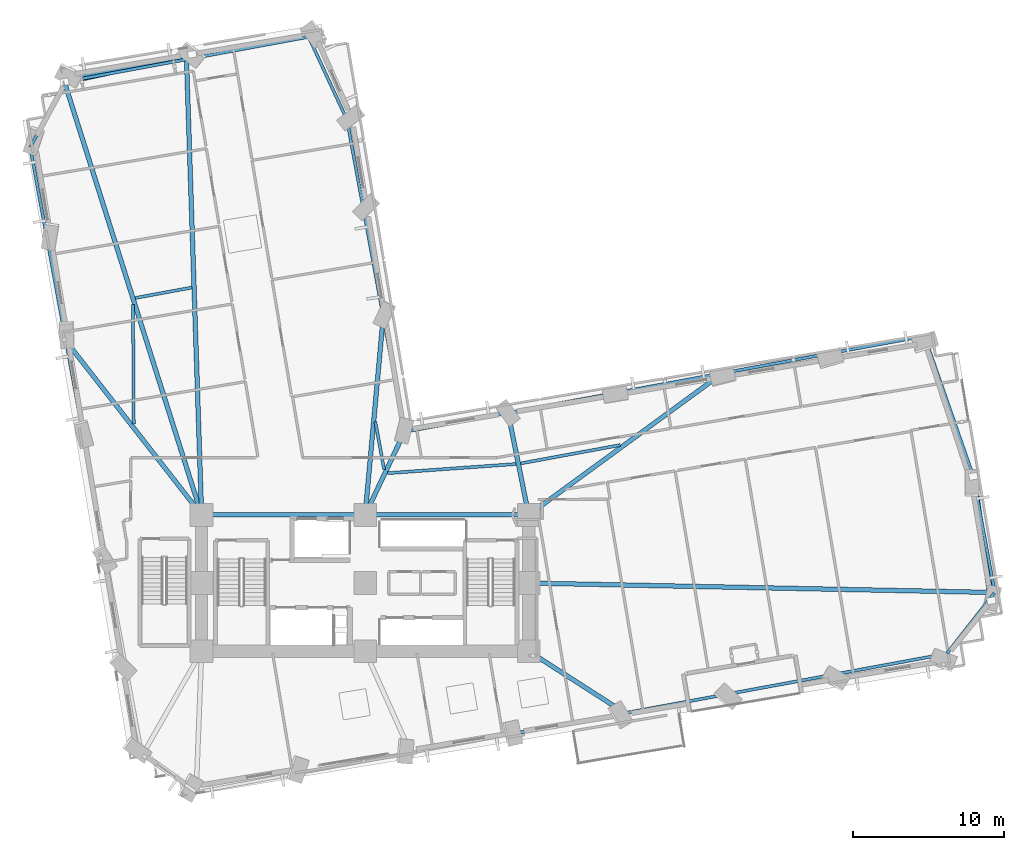
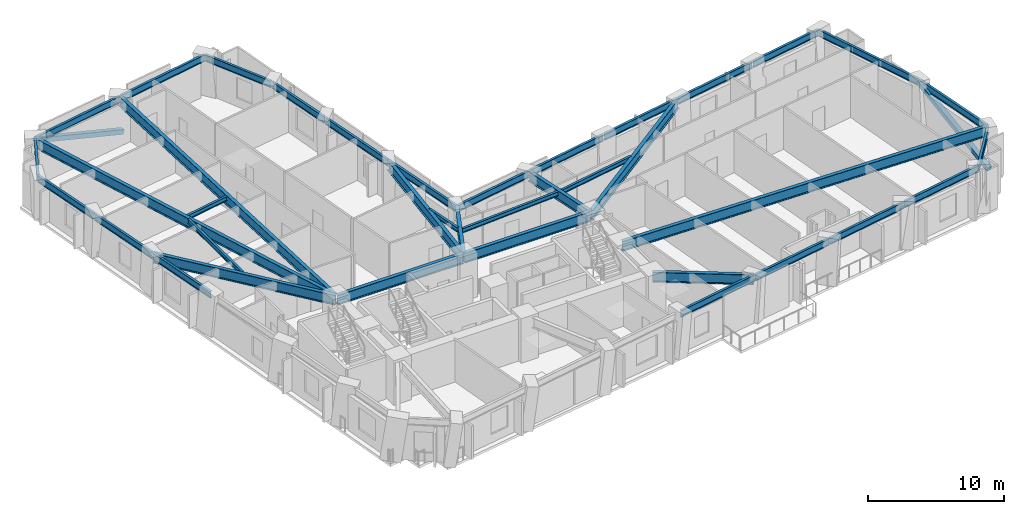
# One storey, part 3 of 16: 38 beams, 2 members.
"""IFC4 building model written with IfcOpenShell, lengths in metres."""

from ifc_helpers import new_model, si_unit, direction, frame, origin, origin_2d, place, context, subcontext, project, spatial, hollow_rectangle, i_section, extrude, material, material_profile, profile_set, type_object, element, save


model = new_model("IFC4")

# Units and contexts
model_context = context("Model", 3, precision=1e-05, world=origin(), true_north=direction((0.0, 1.0)))
body_context = subcontext(model_context, "Body", "Model", "MODEL_VIEW")
ifc_project = project(units=[si_unit("LENGTHUNIT", "METRE"), si_unit("AREAUNIT", "SQUARE_METRE"), si_unit("VOLUMEUNIT", "CUBIC_METRE"), si_unit("PLANEANGLEUNIT", "RADIAN"), si_unit("MASSUNIT", "GRAM", prefix="KILO")], contexts=[model_context])

# Site, building, storey
site_placement = place(None, origin())
site = spatial("IfcSite", under=ifc_project, at=site_placement, CompositionType="ELEMENT")
building_placement = place(site_placement, origin())
building = spatial("IfcBuilding", under=site, at=building_placement, Name="Gaonmaruhae Medical Tower", CompositionType="ELEMENT")
storey_placement = place(building_placement, frame((0.0, 0.0, 63.0)))
storey = spatial("IfcBuildingStorey", under=building, at=storey_placement, Name="L14", CompositionType="ELEMENT", Elevation=63.0)

# Beams
ifc_material_1 = material(Name="Steel SM355", Category="steel")
ifc_material_profile_1 = material_profile(ifc_material_1, i_section(OverallWidth=0.199951171875, OverallDepth=0.39990234375, WebThickness=0.008056640625, FlangeThickness=0.012939453125, FilletRadius=0.012939453125, at=origin_2d()), Name="H-400x200x8x13")
ifc_profile_set_1 = profile_set([ifc_material_profile_1], Name="Steel SM355")
beam_type_1 = type_object("IfcBeamType", Name="FJ-01 Lower Zone Ward Floor Joist (H-400x200x8x13)", PredefinedType="JOIST", material=ifc_profile_set_1)
beam_1_placement = place(storey_placement, frame((41.65380859375, 21.41455078125, 3.580078125), z_axis=(-0.983412627044, -0.181382482534, 0.0), x_axis=(0.181382482534, -0.983412627044, 0.0)))
element("IfcBeam", 1, at=beam_1_placement, inside=storey, type_object=beam_type_1, Name="L14 Secondary Floor Joist FJ05", PredefinedType="JOIST", context=body_context, shape_type="SweptSolid", body=[
    extrude(i_section(OverallWidth=0.199951171875, OverallDepth=0.39990234375, WebThickness=0.008056640625, FlangeThickness=0.012939453125, FilletRadius=0.012939453125, at=origin_2d()), origin(), (0.0, 0.0, 1.0), 6.6923828125),
])
beam_2_placement = place(storey_placement, frame((34.76220703125, 20.161376953125, 3.580078125), z_axis=(-0.997454180347, -0.071310294545, 0.0), x_axis=(0.071310294545, -0.997454180347, 0.0)))
element("IfcBeam", 2, at=beam_2_placement, inside=storey, type_object=beam_type_1, Name="L14 Secondary Floor Joist FJ06", PredefinedType="JOIST", context=body_context, shape_type="SweptSolid", body=[
    extrude(i_section(OverallWidth=0.199951171875, OverallDepth=0.39990234375, WebThickness=0.008056640625, FlangeThickness=0.012939453125, FilletRadius=0.012939453125, at=origin_2d()), origin(), (0.0, 0.0, 1.0), 8.50439453125),
])
beam_3_placement = place(storey_placement, frame((26.05419921875, 19.800048828125, 3.580078125), z_axis=(-0.181359756434, 0.983416818417, 0.0), x_axis=(-0.983416818417, -0.181359756434, 0.0)))
element("IfcBeam", 3, at=beam_3_placement, inside=storey, type_object=beam_type_1, Name="L14 Secondary Floor Joist FJ07", PredefinedType="JOIST", context=body_context, shape_type="SweptSolid", body=[
    extrude(i_section(OverallWidth=0.199951171875, OverallDepth=0.39990234375, WebThickness=0.008056640625, FlangeThickness=0.012939453125, FilletRadius=0.012939453125, at=origin_2d()), origin(), (0.0, 0.0, 1.0), 3.2119140625),
])
beam_4_placement = place(storey_placement, frame((13.3466796875, 31.8115234375, 3.580078125), z_axis=(-0.983414760915, -0.181370912815, 0.0), x_axis=(0.181370912815, -0.983414760915, 0.0)))
element("IfcBeam", 4, at=beam_4_placement, inside=storey, type_object=beam_type_1, Name="L14 Secondary Floor Joist FJ09", PredefinedType="JOIST", context=body_context, shape_type="SweptSolid", body=[
    extrude(i_section(OverallWidth=0.199951171875, OverallDepth=0.39990234375, WebThickness=0.008056640625, FlangeThickness=0.012939453125, FilletRadius=0.012939453125, at=origin_2d()), origin(), (0.0, 0.0, 1.0), 3.78515625),
])
beam_5_placement = place(storey_placement, frame((9.47216796875, 30.69580078125, 3.580078125), z_axis=(0.00620779934, -0.999980731428, 0.0), x_axis=(0.999980731428, 0.00620779934, 0.0)))
element("IfcBeam", 5, at=beam_5_placement, inside=storey, type_object=beam_type_1, Name="L14 Secondary Floor Joist FJ10", PredefinedType="JOIST", context=body_context, shape_type="SweptSolid", body=[
    extrude(i_section(OverallWidth=0.199951171875, OverallDepth=0.39990234375, WebThickness=0.008056640625, FlangeThickness=0.012939453125, FilletRadius=0.012939453125, at=origin_2d()), origin(), (0.0, 0.0, 1.0), 7.905029296875),
])

# Members
ifc_material_2 = material(Name="Steel SM420", Category="steel")
ifc_material_profile_2 = material_profile(ifc_material_2, hollow_rectangle(XDim=0.39990234375, YDim=0.39990234375, WallThickness=0.01611328125, at=origin_2d()), Name="RHS-400x400x16")
ifc_profile_set_2 = profile_set([ifc_material_profile_2], Name="Steel SM420")
member_type = type_object("IfcMemberType", Name="PB-01 Perimeter Solid-Bay Tube Brace Lower (RHS-400x400x16)", PredefinedType="BRACE", material=ifc_profile_set_2)
member_1_placement = place(storey_placement, frame((66.15185546875, 11.13525390625, 0.25), z_axis=(-0.13365714722, 0.920332745351, 0.367591355763), x_axis=(-0.989618492522, -0.143719307191, 0.0)))
element("IfcMember", 6, at=member_1_placement, inside=storey, type_object=member_type, Name="L14 Perimeter Tube Solid-Bay Brace E01-E02", PredefinedType="BRACE", context=body_context, shape_type="SweptSolid", body=[
    extrude(hollow_rectangle(XDim=0.39990234375, YDim=0.39990234375, WallThickness=0.01611328125, at=origin_2d()), origin(), (0.0, 0.0, 1.0), 8.923095703125),
])
member_2_placement = place(storey_placement, frame((13.372314453125, 47.218994140625, 0.25), z_axis=(-0.913571973034, -0.197784986374, 0.355341173032), x_axis=(0.211594336415, -0.977357578779, 0.0)))
element("IfcMember", 7, at=member_2_placement, inside=storey, type_object=member_type, Name="L14 Perimeter Tube Solid-Bay Brace N02-N03", PredefinedType="BRACE", context=body_context, shape_type="SweptSolid", body=[
    extrude(hollow_rectangle(XDim=0.39990234375, YDim=0.39990234375, WallThickness=0.01611328125, at=origin_2d()), origin(), (0.0, 0.0, 1.0), 9.230712890625),
])

# Beams
ifc_material_profile_3 = material_profile(ifc_material_2, i_section(OverallWidth=0.300048828125, OverallDepth=0.89990234375, WebThickness=0.01611328125, FlangeThickness=0.028076171875, FilletRadius=0.01806640625, at=origin_2d()), Name="H-900x300x16x28")
ifc_profile_set_3 = profile_set([ifc_material_profile_3], Name="Steel SM420")
beam_type_2 = type_object("IfcBeamType", Name="PG-01 Zone 1 Radial Floor Girder (H-900x300x16x28)", PredefinedType="BEAM", material=ifc_profile_set_3)
for number, where, z_axis, x_axis, name in (
    (8, (14.050048828125, 16.800048828125, 3.330078125), (1.0, 0.0, 0.0), (0.0, 1.0, 0.0), "L14 Beam BM-L14-CG-N1"),
    (9, (24.85009765625, 16.800048828125, 3.330078125), (1.0, 0.0, 0.0), (0.0, 1.0, 0.0), "L14 Beam BM-L14-CG-N2"),
):
    element("IfcBeam", number, at=place(storey_placement, frame(where, z_axis=z_axis, x_axis=x_axis)), inside=storey, type_object=beam_type_2, Name=name, PredefinedType="BEAM", context=body_context, shape_type="SweptSolid", body=[
        extrude(i_section(OverallWidth=0.300048828125, OverallDepth=0.89990234375, WebThickness=0.01611328125, FlangeThickness=0.028076171875, FilletRadius=0.01806640625, at=origin_2d()), origin(), (0.0, 0.0, 1.0), 10.699951171875),
    ])
beam_6_placement = place(storey_placement, frame((35.64208984375, 7.77294921875, 3.330078125), z_axis=(0.841630092336, -0.540054430289, 0.0), x_axis=(0.540054430289, 0.841630092336, 0.0)))
element("IfcBeam", 10, at=beam_6_placement, inside=storey, type_object=beam_type_2, Name="L14 Radial Primary Girder S05", PredefinedType="BEAM", context=body_context, shape_type="SweptSolid", body=[
    extrude(i_section(OverallWidth=0.300048828125, OverallDepth=0.89990234375, WebThickness=0.01611328125, FlangeThickness=0.028076171875, FilletRadius=0.01806640625, at=origin_2d()), origin(), (0.0, 0.0, 1.0), 7.4599609375),
])
beam_7_placement = place(storey_placement, frame((35.64990234375, 12.299072265625, 3.330078125), z_axis=(0.999794907779, -0.020251972209, 0.0), x_axis=(0.020251972209, 0.999794907779, 0.0)))
element("IfcBeam", 11, at=beam_7_placement, inside=storey, type_object=beam_type_2, Name="L14 Radial Primary Girder E01", PredefinedType="BEAM", context=body_context, shape_type="SweptSolid", body=[
    extrude(i_section(OverallWidth=0.300048828125, OverallDepth=0.89990234375, WebThickness=0.01611328125, FlangeThickness=0.028076171875, FilletRadius=0.01806640625, at=origin_2d()), origin(), (0.0, 0.0, 1.0), 30.680419921875),
])
beam_8_placement = place(storey_placement, frame((35.640380859375, 16.82958984375, 3.330078125), z_axis=(0.807296280927, 0.590146350325, 0.0), x_axis=(-0.590146350325, 0.807296280927, 0.0)))
element("IfcBeam", 12, at=beam_8_placement, inside=storey, type_object=beam_type_2, Name="L14 Radial Primary Girder EN02", PredefinedType="BEAM", context=body_context, shape_type="SweptSolid", body=[
    extrude(i_section(OverallWidth=0.300048828125, OverallDepth=0.89990234375, WebThickness=0.01611328125, FlangeThickness=0.028076171875, FilletRadius=0.01806640625, at=origin_2d()), origin(), (0.0, 0.0, 1.0), 15.754638671875),
])
beam_9_placement = place(storey_placement, frame((35.590087890625, 16.84912109375, 3.330078125), z_axis=(-0.197916023153, 0.980218979504, 0.0), x_axis=(-0.980218979504, -0.197916023153, 0.0)))
element("IfcBeam", 13, at=beam_9_placement, inside=storey, type_object=beam_type_2, Name="L14 Radial Primary Girder EN04", PredefinedType="BEAM", context=body_context, shape_type="SweptSolid", body=[
    extrude(i_section(OverallWidth=0.300048828125, OverallDepth=0.89990234375, WebThickness=0.01611328125, FlangeThickness=0.028076171875, FilletRadius=0.01806640625, at=origin_2d()), origin(), (0.0, 0.0, 1.0), 6.78076171875),
])
beam_10_placement = place(storey_placement, frame((24.821533203125, 16.84521484375, 3.330078125), z_axis=(0.428834950557, 0.903382856369, 0.0), x_axis=(-0.903382856369, 0.428834950557, 0.0)))
element("IfcBeam", 14, at=beam_10_placement, inside=storey, type_object=beam_type_2, Name="L14 Radial Primary Girder KN01", PredefinedType="BEAM", context=body_context, shape_type="SweptSolid", body=[
    extrude(i_section(OverallWidth=0.300048828125, OverallDepth=0.89990234375, WebThickness=0.01611328125, FlangeThickness=0.028076171875, FilletRadius=0.01806640625, at=origin_2d()), origin(), (0.0, 0.0, 1.0), 5.970947265625),
])
beam_11_placement = place(storey_placement, frame((24.804443359375, 16.849853515625, 3.330078125), z_axis=(0.09101777795, 0.995849267759, 0.0), x_axis=(-0.995849267759, 0.09101777795, 0.0)))
element("IfcBeam", 15, at=beam_11_placement, inside=storey, type_object=beam_type_2, Name="L14 Radial Primary Girder NE01", PredefinedType="BEAM", context=body_context, shape_type="SweptSolid", body=[
    extrude(i_section(OverallWidth=0.300048828125, OverallDepth=0.89990234375, WebThickness=0.01611328125, FlangeThickness=0.028076171875, FilletRadius=0.01806640625, at=origin_2d()), origin(), (0.0, 0.0, 1.0), 13.060302734375),
])
beam_12_placement = place(storey_placement, frame((13.998291015625, 16.849853515625, 3.330078125), z_axis=(-0.033108604646, 0.999451759866, 0.0), x_axis=(-0.999451759866, -0.033108604646, 0.0)))
element("IfcBeam", 16, at=beam_12_placement, inside=storey, type_object=beam_type_2, Name="L14 Radial Primary Girder N02", PredefinedType="BEAM", context=body_context, shape_type="SweptSolid", body=[
    extrude(i_section(OverallWidth=0.300048828125, OverallDepth=0.89990234375, WebThickness=0.01611328125, FlangeThickness=0.028076171875, FilletRadius=0.01806640625, at=origin_2d()), origin(), (0.0, 0.0, 1.0), 29.9970703125),
])
beam_13_placement = place(storey_placement, frame((13.98486328125, 16.84765625, 3.330078125), z_axis=(-0.302073178835, 0.953284739534, 0.0), x_axis=(-0.953284739534, -0.302073178835, 0.0)))
element("IfcBeam", 17, at=beam_13_placement, inside=storey, type_object=beam_type_2, Name="L14 Radial Primary Girder N03", PredefinedType="BEAM", context=body_context, shape_type="SweptSolid", body=[
    extrude(i_section(OverallWidth=0.300048828125, OverallDepth=0.89990234375, WebThickness=0.01611328125, FlangeThickness=0.028076171875, FilletRadius=0.01806640625, at=origin_2d()), origin(), (0.0, 0.0, 1.0), 29.894287109375),
])
beam_14_placement = place(storey_placement, frame((13.96923828125, 16.83935546875, 3.330078125), z_axis=(-0.615089119571, 0.788457592382, 0.0), x_axis=(-0.788457592382, -0.615089119571, 0.0)))
element("IfcBeam", 18, at=beam_14_placement, inside=storey, type_object=beam_type_2, Name="L14 Radial Primary Girder W03", PredefinedType="BEAM", context=body_context, shape_type="SweptSolid", body=[
    extrude(i_section(OverallWidth=0.300048828125, OverallDepth=0.89990234375, WebThickness=0.01611328125, FlangeThickness=0.028076171875, FilletRadius=0.01806640625, at=origin_2d()), origin(), (0.0, 0.0, 1.0), 14.458251953125),
])
ifc_material_profile_4 = material_profile(ifc_material_1, i_section(OverallWidth=0.199951171875, OverallDepth=0.60009765625, WebThickness=0.010986328125, FlangeThickness=0.01708984375, FilletRadius=0.012939453125, at=origin_2d()), Name="H-600x200x11x17")
ifc_profile_set_4 = profile_set([ifc_material_profile_4], Name="Steel SM355")
beam_type_3 = type_object("IfcBeamType", Name="SP-01 Lower Perimeter Spandrel Beam (H-600x200x11x17)", PredefinedType="SPANDREL", material=ifc_profile_set_4)
for number, where, z_axis, x_axis, name in (
    (19, (34.92138671875, 2.41845703125, 3.47998046875), (0.983411363242, 0.181389334433, 0.0), (-0.181389334433, 0.983411363242, 0.0), "L14 Perimeter Spandrel Beam S04-S05"),
    (20, (42.001953125, 3.724365234375, 3.4599609375), (0.983411363242, 0.181389334433, 0.0), (-0.181389334433, 0.983411363242, 0.0), "L14 Perimeter Spandrel Beam S05-S06"),
    (21, (49.08251953125, 5.0302734375, 3.4599609375), (0.983411363242, 0.181389334433, 0.0), (-0.181389334433, 0.983411363242, 0.0), "L14 Perimeter Spandrel Beam S06-S07"),
    (22, (56.1630859375, 6.336181640625, 3.47998046875), (0.983411363242, 0.181389334433, 0.0), (-0.181389334433, 0.983411363242, 0.0), "L14 Perimeter Spandrel Beam S07-S08"),
):
    element("IfcBeam", number, at=place(storey_placement, frame(where, z_axis=z_axis, x_axis=x_axis)), inside=storey, type_object=beam_type_3, Name=name, PredefinedType="SPANDREL", context=body_context, shape_type="SweptSolid", body=[
        extrude(i_section(OverallWidth=0.199951171875, OverallDepth=0.60009765625, WebThickness=0.010986328125, FlangeThickness=0.01708984375, FilletRadius=0.012939453125, at=origin_2d()), origin(), (0.0, 0.0, 1.0), 7.1201171875),
    ])
beam_15_placement = place(storey_placement, frame((63.22900390625, 7.666259765625, 3.47998046875), z_axis=(0.617057870113, 0.786917775204, 0.0), x_axis=(-0.786917775204, 0.617057870113, 0.0)))
element("IfcBeam", 23, at=beam_15_placement, inside=storey, type_object=beam_type_3, Name="L14 Perimeter Spandrel Beam S08-E01", PredefinedType="SPANDREL", context=body_context, shape_type="SweptSolid", body=[
    extrude(i_section(OverallWidth=0.199951171875, OverallDepth=0.60009765625, WebThickness=0.010986328125, FlangeThickness=0.01708984375, FilletRadius=0.012939453125, at=origin_2d()), origin(), (0.0, 0.0, 1.0), 5.056396484375),
])
beam_16_placement = place(storey_placement, frame((66.36669921875, 11.716064453125, 3.47998046875), z_axis=(-0.181395039505, 0.98341031093, 0.0), x_axis=(-0.98341031093, -0.181395039505, 0.0)))
element("IfcBeam", 24, at=beam_16_placement, inside=storey, type_object=beam_type_3, Name="L14 Perimeter Spandrel Beam E01-E02", PredefinedType="SPANDREL", context=body_context, shape_type="SweptSolid", body=[
    extrude(i_section(OverallWidth=0.199951171875, OverallDepth=0.60009765625, WebThickness=0.010986328125, FlangeThickness=0.01708984375, FilletRadius=0.012939453125, at=origin_2d()), origin(), (0.0, 0.0, 1.0), 7.72021484375),
])
beam_17_placement = place(storey_placement, frame((64.946044921875, 19.38525390625, 3.47998046875), z_axis=(-0.329550489871, 0.944137953175, 0.0), x_axis=(-0.944137953175, -0.329550489871, 0.0)))
element("IfcBeam", 25, at=beam_17_placement, inside=storey, type_object=beam_type_3, Name="L14 Perimeter Spandrel Beam E02-E03", PredefinedType="SPANDREL", context=body_context, shape_type="SweptSolid", body=[
    extrude(i_section(OverallWidth=0.199951171875, OverallDepth=0.60009765625, WebThickness=0.010986328125, FlangeThickness=0.01708984375, FilletRadius=0.012939453125, at=origin_2d()), origin(), (0.0, 0.0, 1.0), 9.7353515625),
])
beam_18_placement = place(storey_placement, frame((61.685302734375, 28.607177734375, 3.47998046875), z_axis=(-0.983414463014, -0.181372528061, 0.0), x_axis=(0.181372528061, -0.983414463014, 0.0)))
element("IfcBeam", 26, at=beam_18_placement, inside=storey, type_object=beam_type_3, Name="L14 Perimeter Spandrel Beam E03-EN01", PredefinedType="SPANDREL", context=body_context, shape_type="SweptSolid", body=[
    extrude(i_section(OverallWidth=0.199951171875, OverallDepth=0.60009765625, WebThickness=0.010986328125, FlangeThickness=0.01708984375, FilletRadius=0.012939453125, at=origin_2d()), origin(), (0.0, 0.0, 1.0), 6.27001953125),
])
for number, where, z_axis, x_axis, name in (
    (27, (55.440673828125, 27.455322265625, 3.47998046875), (-0.983417479222, -0.181356173208, 0.0), (0.181356173208, -0.983417479222, 0.0), "L14 Perimeter Spandrel Beam EN01-EN02"),
    (28, (48.360107421875, 26.1494140625, 3.47998046875), (-0.983417479222, -0.181356173208, 0.0), (0.181356173208, -0.983417479222, 0.0), "L14 Perimeter Spandrel Beam EN02-EN03"),
    (29, (41.279541015625, 24.843505859375, 3.47998046875), (-0.983417479222, -0.181356173208, 0.0), (0.181356173208, -0.983417479222, 0.0), "L14 Perimeter Spandrel Beam EN03-EN04"),
):
    element("IfcBeam", number, at=place(storey_placement, frame(where, z_axis=z_axis, x_axis=x_axis)), inside=storey, type_object=beam_type_3, Name=name, PredefinedType="SPANDREL", context=body_context, shape_type="SweptSolid", body=[
        extrude(i_section(OverallWidth=0.199951171875, OverallDepth=0.60009765625, WebThickness=0.010986328125, FlangeThickness=0.01708984375, FilletRadius=0.012939453125, at=origin_2d()), origin(), (0.0, 0.0, 1.0), 7.1201171875),
    ])
beam_19_placement = place(storey_placement, frame((34.198974609375, 23.53759765625, 3.47998046875), z_axis=(-0.983413009861, -0.181380406979, 0.0), x_axis=(0.181380406979, -0.983413009861, 0.0)))
element("IfcBeam", 30, at=beam_19_placement, inside=storey, type_object=beam_type_3, Name="L14 Perimeter Spandrel Beam EN04-KN01", PredefinedType="SPANDREL", context=body_context, shape_type="SweptSolid", body=[
    extrude(i_section(OverallWidth=0.199951171875, OverallDepth=0.60009765625, WebThickness=0.010986328125, FlangeThickness=0.01708984375, FilletRadius=0.012939453125, at=origin_2d()), origin(), (0.0, 0.0, 1.0), 6.8701171875),
])
beam_20_placement = place(storey_placement, frame((27.396240234375, 22.32373046875, 3.47998046875), z_axis=(-0.181372257472, 0.983414512919, 0.0), x_axis=(-0.983414512919, -0.181372257472, 0.0)))
element("IfcBeam", 31, at=beam_20_placement, inside=storey, type_object=beam_type_3, Name="L14 Perimeter Spandrel Beam KN01-NE01", PredefinedType="SPANDREL", context=body_context, shape_type="SweptSolid", body=[
    extrude(i_section(OverallWidth=0.199951171875, OverallDepth=0.60009765625, WebThickness=0.010986328125, FlangeThickness=0.01708984375, FilletRadius=0.012939453125, at=origin_2d()), origin(), (0.0, 0.0, 1.0), 7.669921875),
])
beam_21_placement = place(storey_placement, frame((25.990478515625, 29.945068359375, 3.47998046875), z_axis=(-0.181356173208, 0.983417479222, 0.0), x_axis=(-0.983417479222, -0.181356173208, 0.0)))
element("IfcBeam", 32, at=beam_21_placement, inside=storey, type_object=beam_type_3, Name="L14 Perimeter Spandrel Beam NE01-NE02", PredefinedType="SPANDREL", context=body_context, shape_type="SweptSolid", body=[
    extrude(i_section(OverallWidth=0.199951171875, OverallDepth=0.60009765625, WebThickness=0.010986328125, FlangeThickness=0.01708984375, FilletRadius=0.012939453125, at=origin_2d()), origin(), (0.0, 0.0, 1.0), 7.1201171875),
])
beam_22_placement = place(storey_placement, frame((24.6845703125, 37.025634765625, 3.47998046875), z_axis=(-0.181367099085, 0.983415464272, 0.0), x_axis=(-0.983415464272, -0.181367099085, 0.0)))
element("IfcBeam", 33, at=beam_22_placement, inside=storey, type_object=beam_type_3, Name="L14 Perimeter Spandrel Beam NE02-NE03", PredefinedType="SPANDREL", context=body_context, shape_type="SweptSolid", body=[
    extrude(i_section(OverallWidth=0.199951171875, OverallDepth=0.60009765625, WebThickness=0.010986328125, FlangeThickness=0.01708984375, FilletRadius=0.012939453125, at=origin_2d()), origin(), (0.0, 0.0, 1.0), 5.920166015625),
])
beam_23_placement = place(storey_placement, frame((23.5869140625, 42.923095703125, 3.47998046875), z_axis=(-0.419954254594, 0.907545273829, 0.0), x_axis=(-0.907545273829, -0.419954254594, 0.0)))
element("IfcBeam", 34, at=beam_23_placement, inside=storey, type_object=beam_type_3, Name="L14 Perimeter Spandrel Beam NE03-N01", PredefinedType="SPANDREL", context=body_context, shape_type="SweptSolid", body=[
    extrude(i_section(OverallWidth=0.199951171875, OverallDepth=0.60009765625, WebThickness=0.010986328125, FlangeThickness=0.01708984375, FilletRadius=0.012939453125, at=origin_2d()), origin(), (0.0, 0.0, 1.0), 5.95947265625),
])
for number, where, z_axis, x_axis, name in (
    (35, (21.028076171875, 48.360595703125, 3.47998046875), (-0.983411153798, -0.181390469942, 0.0), (0.181390469942, -0.983411153798, 0.0), "L14 Perimeter Spandrel Beam N01-N02"),
    (36, (12.964111328125, 46.873291015625, 3.47998046875), (-0.983411153798, -0.181390469942, 0.0), (0.181390469942, -0.983411153798, 0.0), "L14 Perimeter Spandrel Beam N02-N03"),
):
    element("IfcBeam", number, at=place(storey_placement, frame(where, z_axis=z_axis, x_axis=x_axis)), inside=storey, type_object=beam_type_3, Name=name, PredefinedType="SPANDREL", context=body_context, shape_type="SweptSolid", body=[
        extrude(i_section(OverallWidth=0.199951171875, OverallDepth=0.60009765625, WebThickness=0.010986328125, FlangeThickness=0.01708984375, FilletRadius=0.012939453125, at=origin_2d()), origin(), (0.0, 0.0, 1.0), 8.1201171875),
    ])
beam_24_placement = place(storey_placement, frame((4.921142578125, 45.357666015625, 3.47998046875), z_axis=(-0.461395968177, -0.887194319498, 0.0), x_axis=(0.887194319498, -0.461395968177, 0.0)))
element("IfcBeam", 37, at=beam_24_placement, inside=storey, type_object=beam_type_3, Name="L14 Perimeter Spandrel Beam N03-W01", PredefinedType="SPANDREL", context=body_context, shape_type="SweptSolid", body=[
    extrude(i_section(OverallWidth=0.199951171875, OverallDepth=0.60009765625, WebThickness=0.010986328125, FlangeThickness=0.01708984375, FilletRadius=0.012939453125, at=origin_2d()), origin(), (0.0, 0.0, 1.0), 4.80078125),
])
beam_25_placement = place(storey_placement, frame((2.69482421875, 41.023681640625, 3.47998046875), z_axis=(0.181362996202, -0.98341622094, 0.0), x_axis=(0.98341622094, 0.181362996202, 0.0)))
element("IfcBeam", 38, at=beam_25_placement, inside=storey, type_object=beam_type_3, Name="L14 Perimeter Spandrel Beam W01-W02", PredefinedType="SPANDREL", context=body_context, shape_type="SweptSolid", body=[
    extrude(i_section(OverallWidth=0.199951171875, OverallDepth=0.60009765625, WebThickness=0.010986328125, FlangeThickness=0.01708984375, FilletRadius=0.012939453125, at=origin_2d()), origin(), (0.0, 0.0, 1.0), 6.320068359375),
])
beam_26_placement = place(storey_placement, frame((3.855712890625, 34.729736328125, 3.47998046875), z_axis=(0.181346366013, -0.983419287758, 0.0), x_axis=(0.983419287758, 0.181346366013, 0.0)))
element("IfcBeam", 39, at=beam_26_placement, inside=storey, type_object=beam_type_3, Name="L14 Perimeter Spandrel Beam W02-W03", PredefinedType="SPANDREL", context=body_context, shape_type="SweptSolid", body=[
    extrude(i_section(OverallWidth=0.199951171875, OverallDepth=0.60009765625, WebThickness=0.010986328125, FlangeThickness=0.01708984375, FilletRadius=0.012939453125, at=origin_2d()), origin(), (0.0, 0.0, 1.0), 6.52001953125),
])
beam_27_placement = place(storey_placement, frame((5.052734375, 28.2392578125, 3.47998046875), z_axis=(0.181373333421, -0.98341431448, 0.0), x_axis=(0.98341431448, 0.181373333421, 0.0)))
element("IfcBeam", 40, at=beam_27_placement, inside=storey, type_object=beam_type_3, Name="L14 Perimeter Spandrel Beam W03-W04", PredefinedType="SPANDREL", context=body_context, shape_type="SweptSolid", body=[
    extrude(i_section(OverallWidth=0.199951171875, OverallDepth=0.60009765625, WebThickness=0.010986328125, FlangeThickness=0.01708984375, FilletRadius=0.012939453125, at=origin_2d()), origin(), (0.0, 0.0, 1.0), 6.570068359375),
])

save(model, "model.ifc")
